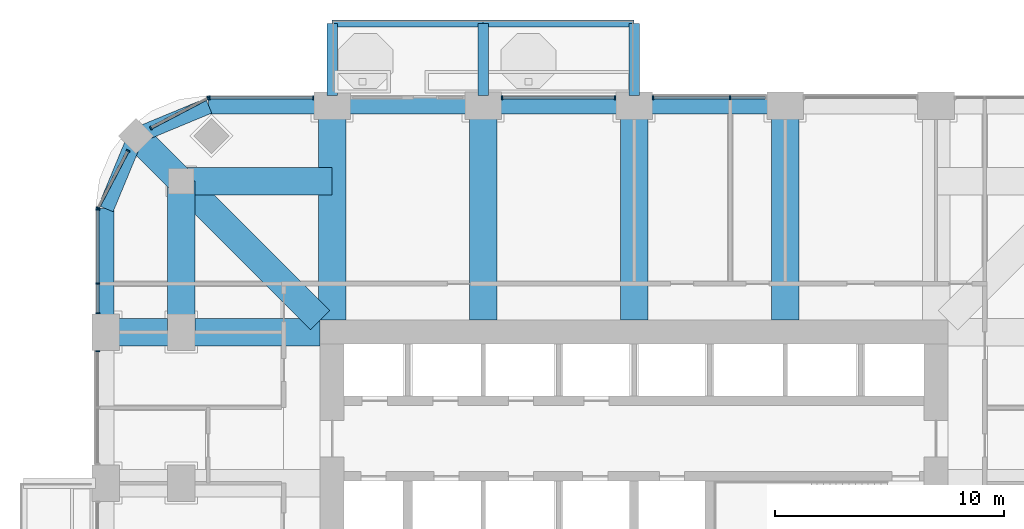
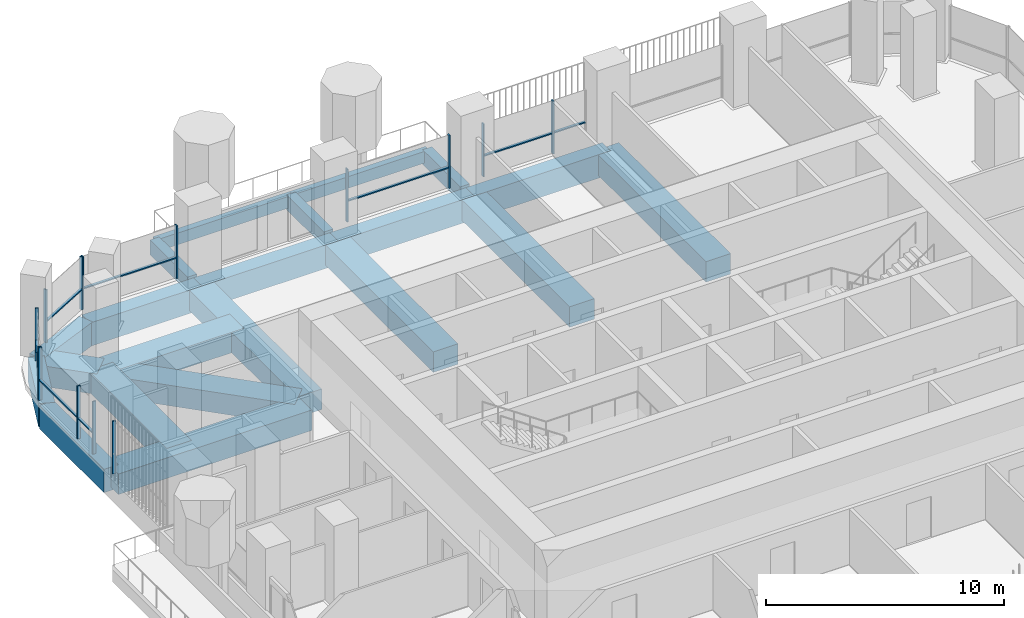
# One storey, part 6 of 20: 22 members, 21 beams, 7 elements without a shape of their own.
"""IFC4 building model written with IfcOpenShell, lengths in metres."""

from ifc_helpers import new_model, si_unit, direction, frame, origin, origin_2d, place, context, subcontext, project, spatial, rectangle, extrude, material, material_profile, profile_set, type_object, element, aggregate, save


model = new_model("IFC4")

# Units and contexts
model_context = context("Model", 3, precision=1e-05, world=origin(), true_north=direction((0.0, 1.0)))
body_context = subcontext(model_context, "Body", "Model", "MODEL_VIEW")
ifc_project = project(units=[si_unit("LENGTHUNIT", "METRE"), si_unit("AREAUNIT", "SQUARE_METRE"), si_unit("VOLUMEUNIT", "CUBIC_METRE"), si_unit("PLANEANGLEUNIT", "RADIAN"), si_unit("MASSUNIT", "GRAM", prefix="KILO")], contexts=[model_context])

# Site, building, storey
site_placement = place(None, origin())
site = spatial("IfcSite", under=ifc_project, at=site_placement, CompositionType="ELEMENT")
building_placement = place(site_placement, origin())
building = spatial("IfcBuilding", under=site, at=building_placement, Name="Cobogo Forest Laboratory Tower", CompositionType="ELEMENT")
storey_placement = place(building_placement, frame((0.0, 0.0, 185.10009765625)))
storey = spatial("IfcBuildingStorey", under=building, at=storey_placement, Name="L42", CompositionType="ELEMENT", Elevation=185.10009765625)

# Beams
ifc_material_1 = material(Name="Concrete HA-40 (C40/50)", Category="concrete")
ifc_material_profile_1 = material_profile(ifc_material_1, rectangle(XDim=0.449951171875, YDim=0.75, at=origin_2d()), Name="RC 450x750")
ifc_profile_set_1 = profile_set([ifc_material_profile_1], Name="Concrete HA-40 (C40/50)")
beam_type_1 = type_object("IfcBeamType", Name="Balcony cantilever beam 450x750", PredefinedType="BEAM", material=ifc_profile_set_1)
for number, where, z_axis, x_axis, name in (
    (1, (13.199951171875, 43.35009765625, -0.625), (0.0, 1.0, 0.0), (-1.0, 0.0, 0.0), "CB1 BAL-N1-C1 L42"),
    (2, (19.800048828125, 43.35009765625, -0.625), (0.0, 1.0, 0.0), (-1.0, 0.0, 0.0), "CB1 BAL-N1-C2 L42"),
    (3, (26.39990234375, 43.35009765625, -0.625), (0.0, 1.0, 0.0), (-1.0, 0.0, 0.0), "CB1 BAL-N1-C3 L42"),
):
    element("IfcBeam", number, at=place(storey_placement, frame(where, z_axis=z_axis, x_axis=x_axis)), inside=storey, type_object=beam_type_1, Name=name, PredefinedType="BEAM", context=body_context, shape_type="SweptSolid", body=[
        extrude(rectangle(XDim=0.449951171875, YDim=0.75, at=origin_2d()), origin(), (0.0, 0.0, 1.0), 3.14990234375),
    ])
ifc_material_profile_2 = material_profile(ifc_material_1, rectangle(XDim=0.300048828125, YDim=0.60009765625, at=origin_2d()), Name="RC 300x600")
ifc_profile_set_2 = profile_set([ifc_material_profile_2], Name="Concrete HA-40 (C40/50)")
beam_type_2 = type_object("IfcBeamType", Name="Balcony edge beam 300x600", PredefinedType="BEAM", material=ifc_profile_set_2)
beam_1_placement = place(storey_placement, frame((13.199951171875, 46.5, -0.550048828125), z_axis=(1.0, 0.0, 0.0), x_axis=(0.0, 1.0, 0.0)))
element("IfcBeam", 4, at=beam_1_placement, inside=storey, type_object=beam_type_2, Name="BB1 BAL-N1-T1 L42", PredefinedType="BEAM", context=body_context, shape_type="SweptSolid", body=[
    extrude(rectangle(XDim=0.300048828125, YDim=0.60009765625, at=origin_2d()), origin(), (0.0, 0.0, 1.0), 6.60009765625),
])
beam_2_placement = place(storey_placement, frame((19.800048828125, 46.5, -0.550048828125), z_axis=(1.0, 0.0, 0.0), x_axis=(0.0, 1.0, 0.0)))
element("IfcBeam", 5, at=beam_2_placement, inside=storey, type_object=beam_type_2, Name="BB1 BAL-N1-T2 L42", PredefinedType="BEAM", context=body_context, shape_type="SweptSolid", body=[
    extrude(rectangle(XDim=0.300048828125, YDim=0.60009765625, at=origin_2d()), origin(), (0.0, 0.0, 1.0), 6.599853515625),
])
ifc_material_profile_3 = material_profile(ifc_material_1, rectangle(XDim=1.199951171875, YDim=1.050048828125, at=origin_2d()), Name="RC 1200x1050")
ifc_profile_set_3 = profile_set([ifc_material_profile_3], Name="Concrete HA-40 (C40/50)")
beam_type_3 = type_object("IfcBeamType", Name="Laboratory floor wide beam 1200x1050", PredefinedType="BEAM", material=ifc_profile_set_3)
for number, where, z_axis, x_axis, name in (
    (6, (13.199951171875, 33.52490234375, -0.8251953125), (0.0, 1.0, 0.0), (-1.0, 0.0, 0.0), "RB1 R-3-N L42"),
    (7, (19.800048828125, 33.52490234375, -0.8251953125), (0.0, 1.0, 0.0), (-1.0, 0.0, 0.0), "RB1 R-4-N L42"),
    (8, (26.39990234375, 33.52490234375, -0.8251953125), (0.0, 1.0, 0.0), (-1.0, 0.0, 0.0), "RB1 R-5-N L42"),
    (9, (33.0, 33.52490234375, -0.8251953125), (0.0, 1.0, 0.0), (-1.0, 0.0, 0.0), "RB1 R-6-N L42"),
    (10, (12.675048828125, 33.0, -0.8251953125), (-1.0, 0.0, 0.0), (0.0, -1.0, 0.0), "RB1 R-F-W L42"),
):
    element("IfcBeam", number, at=place(storey_placement, frame(where, z_axis=z_axis, x_axis=x_axis)), inside=storey, type_object=beam_type_3, Name=name, PredefinedType="BEAM", context=body_context, shape_type="SweptSolid", body=[
        extrude(rectangle(XDim=1.199951171875, YDim=1.050048828125, at=origin_2d()), origin(), (0.0, 0.0, 1.0), 9.375),
    ])
beam_3_placement = place(storey_placement, frame((6.60009765625, 39.60009765625, -0.8251953125), z_axis=(0.0, -1.0, 0.0), x_axis=(1.0, 0.0, 0.0)))
element("IfcBeam", 11, at=beam_3_placement, inside=storey, type_object=beam_type_3, Name="RB1 G-NW-XC L42", PredefinedType="BEAM", context=body_context, shape_type="SweptSolid", body=[
    extrude(rectangle(XDim=1.199951171875, YDim=1.050048828125, at=origin_2d()), origin(), (0.0, 0.0, 1.0), 6.60009765625),
])
beam_4_placement = place(storey_placement, frame((6.60009765625, 39.60009765625, -0.8251953125), z_axis=(1.0, 0.0, 0.0), x_axis=(0.0, 1.0, 0.0)))
element("IfcBeam", 12, at=beam_4_placement, inside=storey, type_object=beam_type_3, Name="RB1 G-NW-YC L42", PredefinedType="BEAM", context=body_context, shape_type="SweptSolid", body=[
    extrude(rectangle(XDim=1.199951171875, YDim=1.050048828125, at=origin_2d()), origin(), (0.0, 0.0, 1.0), 6.599853515625),
])
beam_5_placement = place(storey_placement, frame((4.617919921875, 41.58203125, -0.8251953125), z_axis=(0.707150328948, -0.707063230743, 0.0), x_axis=(0.707063230743, 0.707150328948, 0.0)))
element("IfcBeam", 13, at=beam_5_placement, inside=storey, type_object=beam_type_3, Name="RB1 G-NW-D1 L42", PredefinedType="BEAM", context=body_context, shape_type="SweptSolid", body=[
    extrude(rectangle(XDim=1.199951171875, YDim=1.050048828125, at=origin_2d()), origin(), (0.0, 0.0, 1.0), 2.802978515625),
])
beam_6_placement = place(storey_placement, frame((6.60009765625, 39.60009765625, -0.8251953125), z_axis=(0.707092572697, -0.70712098939, 0.0), x_axis=(0.70712098939, 0.707092572697, 0.0)))
element("IfcBeam", 14, at=beam_6_placement, inside=storey, type_object=beam_type_3, Name="RB1 G-NW-D2 L42", PredefinedType="BEAM", context=body_context, shape_type="SweptSolid", body=[
    extrude(rectangle(XDim=1.199951171875, YDim=1.050048828125, at=origin_2d()), origin(), (0.0, 0.0, 1.0), 8.591552734375),
])

# Curtain wall, members
ifc_material_2 = material(Name="Aluminium curtain wall", Category="aluminium")
curtain_wall_type = type_object("IfcCurtainWallType", Name="CW-2 unitised curtain wall, solar control glazing, laboratory floors zones C and D", PredefinedType="USERDEFINED", material=ifc_material_2)
curtain_wall_1_placement = place(storey_placement, origin())
curtain_wall_1 = element("IfcCurtainWall", 15, at=curtain_wall_1_placement, inside=storey, type_object=curtain_wall_type, Name="Curtain wall 18 L42", ObjectType="UNITISED CURTAIN WALL", PredefinedType="USERDEFINED")
ifc_material_3 = material(Name="Aluminium mullion", Category="aluminium")
ifc_material_profile_4 = material_profile(ifc_material_3, rectangle(XDim=0.06005859375, YDim=0.159912109375, at=origin_2d()), Name="AL 60x160")
ifc_profile_set_4 = profile_set([ifc_material_profile_4], Name="Aluminium mullion")
member_type_1 = type_object("IfcMemberType", Name="MU-1 aluminium mullion 60x160", PredefinedType="MULLION", material=ifc_profile_set_4)
member_1_placement = place(storey_placement, frame((30.60009765625, 43.25, 0.0), z_axis=(0.0, 0.0, 1.0), x_axis=(-1.0, 0.0, 0.0)))
member_1 = element("IfcMember", 16, at=member_1_placement, type_object=member_type_1, Name="CW-2 mullion 2", PredefinedType="MULLION", context=body_context, shape_type="SweptSolid", body=[
    extrude(rectangle(XDim=0.06005859375, YDim=0.159912109375, at=origin_2d()), origin(), (0.0, 0.0, 1.0), 2.699951171875),
])
member_2_placement = place(storey_placement, frame((27.22998046875, 43.25, 0.0), z_axis=(0.0, 0.0, 1.0), x_axis=(-1.0, 0.0, 0.0)))
member_2 = element("IfcMember", 17, at=member_2_placement, type_object=member_type_1, Name="CW-2 mullion 3", PredefinedType="MULLION", context=body_context, shape_type="SweptSolid", body=[
    extrude(rectangle(XDim=0.06005859375, YDim=0.159912109375, at=origin_2d()), origin(), (0.0, 0.0, 1.0), 2.699951171875),
])

curtain_wall_2_placement = place(storey_placement, origin())
curtain_wall_2 = element("IfcCurtainWall", 18, at=curtain_wall_2_placement, inside=storey, type_object=curtain_wall_type, Name="Curtain wall 19 L42", ObjectType="UNITISED CURTAIN WALL", PredefinedType="USERDEFINED")
member_3_placement = place(storey_placement, frame((25.570068359375, 43.25, 0.0), z_axis=(0.0, 0.0, 1.0), x_axis=(-1.0, 0.0, 0.0)))
member_3 = element("IfcMember", 19, at=member_3_placement, type_object=member_type_1, Name="CW-2 mullion 1", PredefinedType="MULLION", context=body_context, shape_type="SweptSolid", body=[
    extrude(rectangle(XDim=0.06005859375, YDim=0.159912109375, at=origin_2d()), origin(), (0.0, 0.0, 1.0), 2.699951171875),
])
member_4_placement = place(storey_placement, frame((20.6298828125, 43.25, 0.0), z_axis=(0.0, 0.0, 1.0), x_axis=(-1.0, 0.0, 0.0)))
member_4 = element("IfcMember", 20, at=member_4_placement, type_object=member_type_1, Name="CW-2 mullion 2", PredefinedType="MULLION", context=body_context, shape_type="SweptSolid", body=[
    extrude(rectangle(XDim=0.06005859375, YDim=0.159912109375, at=origin_2d()), origin(), (0.0, 0.0, 1.0), 2.699951171875),
])

curtain_wall_3_placement = place(storey_placement, origin())
curtain_wall_3 = element("IfcCurtainWall", 21, at=curtain_wall_3_placement, inside=storey, type_object=curtain_wall_type, Name="Curtain wall 21 L42", ObjectType="UNITISED CURTAIN WALL", PredefinedType="USERDEFINED")
member_5_placement = place(storey_placement, frame((12.3701171875, 43.25, 0.0), z_axis=(0.0, 0.0, 1.0), x_axis=(-1.0, 0.0, 0.0)))
member_5 = element("IfcMember", 22, at=member_5_placement, type_object=member_type_1, Name="CW-2 mullion 1", PredefinedType="MULLION", context=body_context, shape_type="SweptSolid", body=[
    extrude(rectangle(XDim=0.06005859375, YDim=0.159912109375, at=origin_2d()), origin(), (0.0, 0.0, 1.0), 2.699951171875),
])
member_6_placement = place(storey_placement, frame((7.830078125, 43.25, 0.0), z_axis=(0.0, 0.0, 1.0), x_axis=(-1.0, 0.0, 0.0)))
member_6 = element("IfcMember", 23, at=member_6_placement, type_object=member_type_1, Name="CW-2 mullion 2", PredefinedType="MULLION", context=body_context, shape_type="SweptSolid", body=[
    extrude(rectangle(XDim=0.06005859375, YDim=0.159912109375, at=origin_2d()), origin(), (0.0, 0.0, 1.0), 2.699951171875),
])

curtain_wall_4_placement = place(storey_placement, origin())
curtain_wall_4 = element("IfcCurtainWall", 24, at=curtain_wall_4_placement, inside=storey, type_object=curtain_wall_type, Name="Curtain wall 22 L42", ObjectType="UNITISED CURTAIN WALL", PredefinedType="USERDEFINED")
member_7_placement = place(storey_placement, frame((7.7734375, 43.236083984375, 0.0), z_axis=(0.0, 0.0, 1.0), x_axis=(-0.885686484356, -0.464283804832, 0.0)))
member_7 = element("IfcMember", 25, at=member_7_placement, type_object=member_type_1, Name="CW-2 mullion 1", PredefinedType="MULLION", context=body_context, shape_type="SweptSolid", body=[
    extrude(rectangle(XDim=0.06005859375, YDim=0.159912109375, at=origin_2d()), origin(), (0.0, 0.0, 1.0), 2.699951171875),
])
member_8_placement = place(storey_placement, frame((5.275634765625, 41.9267578125, 0.0), z_axis=(0.0, 0.0, 1.0), x_axis=(-0.885686484356, -0.464283804832, 0.0)))
member_8 = element("IfcMember", 26, at=member_8_placement, type_object=member_type_1, Name="CW-2 mullion 2", PredefinedType="MULLION", context=body_context, shape_type="SweptSolid", body=[
    extrude(rectangle(XDim=0.06005859375, YDim=0.159912109375, at=origin_2d()), origin(), (0.0, 0.0, 1.0), 2.699951171875),
])

curtain_wall_5_placement = place(storey_placement, origin())
curtain_wall_5 = element("IfcCurtainWall", 27, at=curtain_wall_5_placement, inside=storey, type_object=curtain_wall_type, Name="Curtain wall 23 L42", ObjectType="UNITISED CURTAIN WALL", PredefinedType="USERDEFINED")
member_9_placement = place(storey_placement, frame((4.2734375, 40.924560546875, 0.0), z_axis=(0.0, 0.0, 1.0), x_axis=(-0.464283804832, -0.885686484356, 0.0)))
member_9 = element("IfcMember", 28, at=member_9_placement, type_object=member_type_1, Name="CW-2 mullion 1", PredefinedType="MULLION", context=body_context, shape_type="SweptSolid", body=[
    extrude(rectangle(XDim=0.06005859375, YDim=0.159912109375, at=origin_2d()), origin(), (0.0, 0.0, 1.0), 2.699951171875),
])
member_10_placement = place(storey_placement, frame((2.9638671875, 38.426513671875, 0.0), z_axis=(0.0, 0.0, 1.0), x_axis=(-0.464283804832, -0.885686484356, 0.0)))
member_10 = element("IfcMember", 29, at=member_10_placement, type_object=member_type_1, Name="CW-2 mullion 2", PredefinedType="MULLION", context=body_context, shape_type="SweptSolid", body=[
    extrude(rectangle(XDim=0.06005859375, YDim=0.159912109375, at=origin_2d()), origin(), (0.0, 0.0, 1.0), 2.699951171875),
])

curtain_wall_6_placement = place(storey_placement, origin())
curtain_wall_6 = element("IfcCurtainWall", 30, at=curtain_wall_6_placement, inside=storey, type_object=curtain_wall_type, Name="Curtain wall 24 L42", ObjectType="UNITISED CURTAIN WALL", PredefinedType="USERDEFINED")
member_11_placement = place(storey_placement, frame((2.949951171875, 38.3701171875, 0.0), z_axis=(0.0, 0.0, 1.0), x_axis=(0.0, -1.0, 0.0)))
member_11 = element("IfcMember", 31, at=member_11_placement, type_object=member_type_1, Name="CW-2 mullion 1", PredefinedType="MULLION", context=body_context, shape_type="SweptSolid", body=[
    extrude(rectangle(XDim=0.06005859375, YDim=0.159912109375, at=origin_2d()), origin(), (0.0, 0.0, 1.0), 2.699951171875),
])
member_12_placement = place(storey_placement, frame((2.949951171875, 35.125, 0.0), z_axis=(0.0, 0.0, 1.0), x_axis=(0.0, -1.0, 0.0)))
member_12 = element("IfcMember", 32, at=member_12_placement, type_object=member_type_1, Name="CW-2 mullion 2", PredefinedType="MULLION", context=body_context, shape_type="SweptSolid", body=[
    extrude(rectangle(XDim=0.06005859375, YDim=0.159912109375, at=origin_2d()), origin(), (0.0, 0.0, 1.0), 2.699951171875),
])
member_13_placement = place(storey_placement, frame((2.949951171875, 33.830078125, 0.0), z_axis=(0.0, 0.0, 1.0), x_axis=(0.0, -1.0, 0.0)))
member_13 = element("IfcMember", 33, at=member_13_placement, type_object=member_type_1, Name="CW-2 mullion 3", PredefinedType="MULLION", context=body_context, shape_type="SweptSolid", body=[
    extrude(rectangle(XDim=0.06005859375, YDim=0.159912109375, at=origin_2d()), origin(), (0.0, 0.0, 1.0), 2.699951171875),
])

# Curtain wall, member
curtain_wall_7_placement = place(storey_placement, origin())
curtain_wall_7 = element("IfcCurtainWall", 34, at=curtain_wall_7_placement, inside=storey, type_object=curtain_wall_type, Name="Curtain wall 25 L42", ObjectType="UNITISED CURTAIN WALL", PredefinedType="USERDEFINED")
member_14_placement = place(storey_placement, frame((2.949951171875, 32.169921875, 0.0), z_axis=(0.0, 0.0, 1.0), x_axis=(0.0, -1.0, 0.0)))
member_14 = element("IfcMember", 35, at=member_14_placement, type_object=member_type_1, Name="CW-2 mullion 1", PredefinedType="MULLION", context=body_context, shape_type="SweptSolid", body=[
    extrude(rectangle(XDim=0.06005859375, YDim=0.159912109375, at=origin_2d()), origin(), (0.0, 0.0, 1.0), 2.699951171875),
])
aggregate(curtain_wall_7, [member_14])

# Beams
ifc_material_profile_5 = material_profile(ifc_material_1, rectangle(XDim=0.699951171875, YDim=1.199951171875, at=origin_2d()), Name="RC 700x1200")
ifc_profile_set_5 = profile_set([ifc_material_profile_5], Name="Concrete HA-40 (C40/50)")
beam_type_4 = type_object("IfcBeamType", Name="Perimeter edge beam 700x1200", PredefinedType="BEAM", material=ifc_profile_set_5)
beam_7_placement = place(storey_placement, frame((13.199951171875, 42.89990234375, -0.900146484375), z_axis=(1.0, 0.0, 0.0), x_axis=(0.0, 1.0, 0.0)))
element("IfcBeam", 36, at=beam_7_placement, inside=storey, type_object=beam_type_4, Name="EB1 E-N1 L42", PredefinedType="BEAM", context=body_context, shape_type="SweptSolid", body=[
    extrude(rectangle(XDim=0.699951171875, YDim=1.199951171875, at=origin_2d()), origin(), (0.0, 0.0, 1.0), 6.60009765625),
])
beam_8_placement = place(storey_placement, frame((19.800048828125, 42.89990234375, -0.900146484375), z_axis=(1.0, 0.0, 0.0), x_axis=(0.0, 1.0, 0.0)))
element("IfcBeam", 37, at=beam_8_placement, inside=storey, type_object=beam_type_4, Name="EB1 E-N2 L42", PredefinedType="BEAM", context=body_context, shape_type="SweptSolid", body=[
    extrude(rectangle(XDim=0.699951171875, YDim=1.199951171875, at=origin_2d()), origin(), (0.0, 0.0, 1.0), 6.599853515625),
])
beam_9_placement = place(storey_placement, frame((26.39990234375, 42.89990234375, -0.900146484375), z_axis=(1.0, 0.0, 0.0), x_axis=(0.0, 1.0, 0.0)))
element("IfcBeam", 38, at=beam_9_placement, inside=storey, type_object=beam_type_4, Name="EB1 E-N3 L42", PredefinedType="BEAM", context=body_context, shape_type="SweptSolid", body=[
    extrude(rectangle(XDim=0.699951171875, YDim=1.199951171875, at=origin_2d()), origin(), (0.0, 0.0, 1.0), 6.60009765625),
])
beam_10_placement = place(storey_placement, frame((13.199951171875, 42.89990234375, -0.900146484375), z_axis=(-1.0, 0.0, 0.0), x_axis=(0.0, -1.0, 0.0)))
element("IfcBeam", 39, at=beam_10_placement, inside=storey, type_object=beam_type_4, Name="EB1 E-NWN1 L42", PredefinedType="BEAM", context=body_context, shape_type="SweptSolid", body=[
    extrude(rectangle(XDim=0.699951171875, YDim=1.199951171875, at=origin_2d()), origin(), (0.0, 0.0, 1.0), 5.39990234375),
])
beam_11_placement = place(storey_placement, frame((7.800048828125, 42.89990234375, -0.900146484375), z_axis=(-0.923901072997, -0.382631424892, 0.0), x_axis=(0.382631424892, -0.923901072997, 0.0)))
element("IfcBeam", 40, at=beam_11_placement, inside=storey, type_object=beam_type_4, Name="EB1 E-NWN2 L42", PredefinedType="BEAM", context=body_context, shape_type="SweptSolid", body=[
    extrude(rectangle(XDim=0.699951171875, YDim=1.199951171875, at=origin_2d()), origin(), (0.0, 0.0, 1.0), 3.4443359375),
])
beam_12_placement = place(storey_placement, frame((3.300048828125, 33.0, -0.900146484375), z_axis=(0.0, 1.0, 0.0), x_axis=(-1.0, 0.0, 0.0)))
element("IfcBeam", 41, at=beam_12_placement, inside=storey, type_object=beam_type_4, Name="EB1 E-NWW1 L42", PredefinedType="BEAM", context=body_context, shape_type="SweptSolid", body=[
    extrude(rectangle(XDim=0.699951171875, YDim=1.199951171875, at=origin_2d()), origin(), (0.0, 0.0, 1.0), 5.39990234375),
])
beam_13_placement = place(storey_placement, frame((3.300048828125, 38.39990234375, -0.900146484375), z_axis=(0.382631424892, 0.923901072997, 0.0), x_axis=(-0.923901072997, 0.382631424892, 0.0)))
element("IfcBeam", 42, at=beam_13_placement, inside=storey, type_object=beam_type_4, Name="EB1 E-NWW2 L42", PredefinedType="BEAM", context=body_context, shape_type="SweptSolid", body=[
    extrude(rectangle(XDim=0.699951171875, YDim=1.199951171875, at=origin_2d()), origin(), (0.0, 0.0, 1.0), 3.4443359375),
])

# Member
ifc_material_4 = material(Name="Aluminium transom", Category="aluminium")
ifc_material_profile_6 = material_profile(ifc_material_4, rectangle(XDim=0.1201171875, YDim=0.06005859375, at=origin_2d()), Name="AL 60x120")
ifc_profile_set_6 = profile_set([ifc_material_profile_6], Name="Aluminium transom")
member_type_2 = type_object("IfcMemberType", Name="TR-1 aluminium transom 60x120", PredefinedType="USERDEFINED", material=ifc_profile_set_6)
member_15_placement = place(storey_placement, frame((32.139892578125, 43.25, 1.0498046875), z_axis=(-1.0, 0.0, 0.0), x_axis=(0.0, -1.0, 0.0)))
member_15 = element("IfcMember", 43, at=member_15_placement, type_object=member_type_2, Name="CW-2 transom 1.1", ObjectType="TRANSOM", PredefinedType="USERDEFINED", context=body_context, shape_type="SweptSolid", body=[
    extrude(rectangle(XDim=0.1201171875, YDim=0.06005859375, at=origin_2d()), origin(), (0.0, 0.0, 1.0), 1.510009765625),
])

member_16_placement = place(storey_placement, frame((30.570068359375, 43.25, 1.0498046875), z_axis=(-1.0, 0.0, 0.0), x_axis=(0.0, -1.0, 0.0)))
member_16 = element("IfcMember", 44, at=member_16_placement, type_object=member_type_2, Name="CW-2 transom 2.1", ObjectType="TRANSOM", PredefinedType="USERDEFINED", context=body_context, shape_type="SweptSolid", body=[
    extrude(rectangle(XDim=0.1201171875, YDim=0.06005859375, at=origin_2d()), origin(), (0.0, 0.0, 1.0), 3.31005859375),
])

aggregate(curtain_wall_1, [member_1, member_2, member_15, member_16])

member_17_placement = place(storey_placement, frame((25.5400390625, 43.25, 1.0498046875), z_axis=(-1.0, 0.0, 0.0), x_axis=(0.0, -1.0, 0.0)))
member_17 = element("IfcMember", 45, at=member_17_placement, type_object=member_type_2, Name="CW-2 transom 1.1", ObjectType="TRANSOM", PredefinedType="USERDEFINED", context=body_context, shape_type="SweptSolid", body=[
    extrude(rectangle(XDim=0.1201171875, YDim=0.06005859375, at=origin_2d()), origin(), (0.0, 0.0, 1.0), 4.880126953125),
])

aggregate(curtain_wall_2, [member_3, member_4, member_17])

member_18_placement = place(storey_placement, frame((12.340087890625, 43.25, 1.0498046875), z_axis=(-1.0, 0.0, 0.0), x_axis=(0.0, -1.0, 0.0)))
member_18 = element("IfcMember", 46, at=member_18_placement, type_object=member_type_2, Name="CW-2 transom 1.1", ObjectType="TRANSOM", PredefinedType="USERDEFINED", context=body_context, shape_type="SweptSolid", body=[
    extrude(rectangle(XDim=0.1201171875, YDim=0.06005859375, at=origin_2d()), origin(), (0.0, 0.0, 1.0), 4.47998046875),
])

aggregate(curtain_wall_3, [member_5, member_6, member_18])

member_19_placement = place(storey_placement, frame((7.746826171875, 43.22216796875, 1.0498046875), z_axis=(-0.88570166389, -0.464254846591, 0.0), x_axis=(0.464254846591, -0.88570166389, 0.0)))
member_19 = element("IfcMember", 47, at=member_19_placement, type_object=member_type_2, Name="CW-2 transom 1.1", ObjectType="TRANSOM", PredefinedType="USERDEFINED", context=body_context, shape_type="SweptSolid", body=[
    extrude(rectangle(XDim=0.1201171875, YDim=0.06005859375, at=origin_2d()), origin(), (0.0, 0.0, 1.0), 2.76025390625),
])

aggregate(curtain_wall_4, [member_7, member_8, member_19])

member_20_placement = place(storey_placement, frame((4.259521484375, 40.89794921875, 1.0498046875), z_axis=(-0.464324225592, -0.885665294301, 0.0), x_axis=(0.885665294301, -0.464324225592, 0.0)))
member_20 = element("IfcMember", 48, at=member_20_placement, type_object=member_type_2, Name="CW-2 transom 1.1", ObjectType="TRANSOM", PredefinedType="USERDEFINED", context=body_context, shape_type="SweptSolid", body=[
    extrude(rectangle(XDim=0.1201171875, YDim=0.06005859375, at=origin_2d()), origin(), (0.0, 0.0, 1.0), 2.760498046875),
])

aggregate(curtain_wall_5, [member_9, member_10, member_20])

member_21_placement = place(storey_placement, frame((2.949951171875, 38.340087890625, 1.0498046875), z_axis=(0.0, -1.0, 0.0), x_axis=(1.0, 0.0, 0.0)))
member_21 = element("IfcMember", 49, at=member_21_placement, type_object=member_type_2, Name="CW-2 transom 1.1", ObjectType="TRANSOM", PredefinedType="USERDEFINED", context=body_context, shape_type="SweptSolid", body=[
    extrude(rectangle(XDim=0.1201171875, YDim=0.06005859375, at=origin_2d()), origin(), (0.0, 0.0, 1.0), 3.18505859375),
])

member_22_placement = place(storey_placement, frame((2.949951171875, 35.094970703125, 1.0498046875), z_axis=(0.0, -1.0, 0.0), x_axis=(1.0, 0.0, 0.0)))
member_22 = element("IfcMember", 50, at=member_22_placement, type_object=member_type_2, Name="CW-2 transom 2.1", ObjectType="TRANSOM", PredefinedType="USERDEFINED", context=body_context, shape_type="SweptSolid", body=[
    extrude(rectangle(XDim=0.1201171875, YDim=0.06005859375, at=origin_2d()), origin(), (0.0, 0.0, 1.0), 1.23486328125),
])

aggregate(curtain_wall_6, [member_11, member_12, member_13, member_21, member_22])

save(model, "model.ifc")
